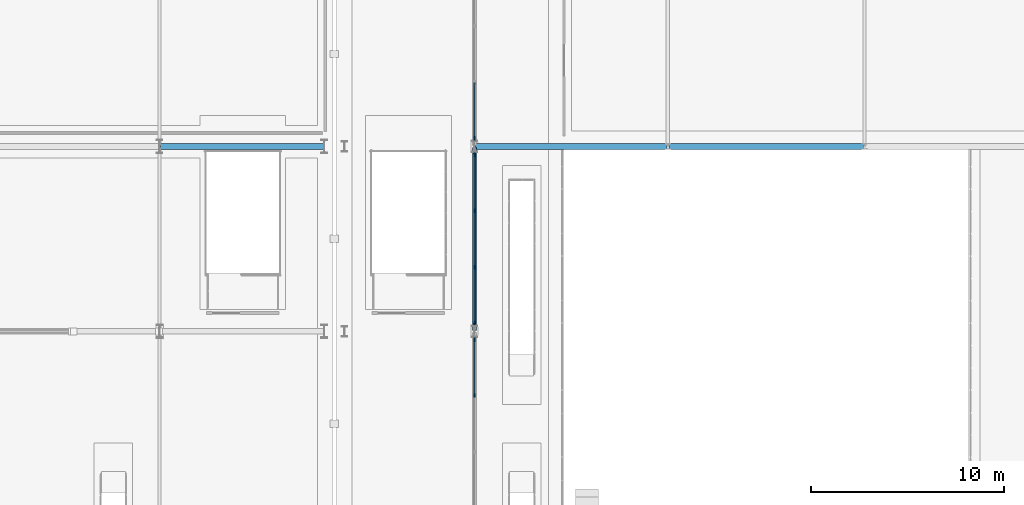
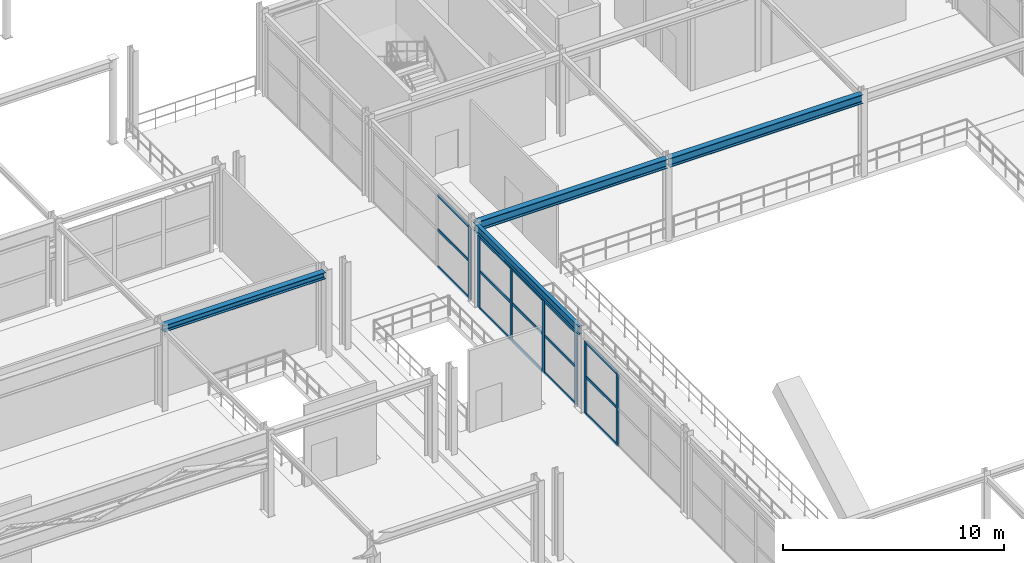
# One storey, part 47 of 125: 22 members, 4 beams, 3 elements without a shape of their own.
"""IFC4 building model written with IfcOpenShell, lengths in metres."""

from ifc_helpers import new_model, si_unit, direction, frame, origin, origin_2d, place, context, subcontext, project, spatial, rectangle, i_section, extrude, material, layer, layer_set, material_profile, profile_set, type_object, element, aggregate, save


model = new_model("IFC4")

# Units and contexts
model_context = context("Model", 3, precision=1e-05, world=origin(), true_north=direction((0.0, 1.0)))
body_context = subcontext(model_context, "Body", "Model", "MODEL_VIEW")
ifc_project = project(units=[si_unit("LENGTHUNIT", "METRE"), si_unit("AREAUNIT", "SQUARE_METRE"), si_unit("VOLUMEUNIT", "CUBIC_METRE"), si_unit("PLANEANGLEUNIT", "RADIAN"), si_unit("MASSUNIT", "GRAM", prefix="KILO")], contexts=[model_context])

# Site, building, storey
site_placement = place(None, origin())
site = spatial("IfcSite", under=ifc_project, at=site_placement, CompositionType="ELEMENT")
building_placement = place(site_placement, origin())
building = spatial("IfcBuilding", under=site, at=building_placement, Name="Myrtia Square Station", CompositionType="ELEMENT")
storey_placement = place(building_placement, frame((0.0, 0.0, 6.0)))
storey = spatial("IfcBuildingStorey", under=building, at=storey_placement, Name="L01", CompositionType="ELEMENT", Elevation=6.0)

# Beams
ifc_material_1 = material(Name="Steel S355", Category="steel")
ifc_material_profile_1 = material_profile(ifc_material_1, i_section(OverallWidth=0.300048828125, OverallDepth=0.360107421875, WebThickness=0.012451171875, FlangeThickness=0.0224609375, FilletRadius=0.027099609375, at=origin_2d()), Name="HEB 360")
ifc_profile_set_1 = profile_set([ifc_material_profile_1], Name="Steel S355")
beam_type_1 = type_object("IfcBeamType", Name="BM-HEB360", PredefinedType="BEAM", material=ifc_profile_set_1)
beam_1_placement = place(storey_placement, frame((63.050048828125, 76.800048828125, 4.375), z_axis=(1.0, 0.0, 0.0), x_axis=(0.0, 1.0, 0.0)))
element("IfcBeam", 1, at=beam_1_placement, inside=storey, type_object=beam_type_1, Name="Structural girder BMX-L01-0475", PredefinedType="BEAM", context=body_context, shape_type="SweptSolid", body=[
    extrude(i_section(OverallWidth=0.300048828125, OverallDepth=0.360107421875, WebThickness=0.012451171875, FlangeThickness=0.0224609375, FilletRadius=0.027099609375, at=origin_2d()), origin(), (0.0, 0.0, 1.0), 8.449951171875),
])
ifc_material_profile_2 = material_profile(ifc_material_1, i_section(OverallWidth=0.300048828125, OverallDepth=0.5, WebThickness=0.014404296875, FlangeThickness=0.028076171875, FilletRadius=0.027099609375, at=origin_2d()), Name="HEB 500")
ifc_profile_set_2 = profile_set([ifc_material_profile_2], Name="Steel S355")
beam_type_2 = type_object("IfcBeamType", Name="BM-HEB500", PredefinedType="BEAM", material=ifc_profile_set_2)
beam_2_placement = place(storey_placement, frame((79.39990234375, 76.800048828125, 4.300048828125), z_axis=(1.0, 0.0, 0.0), x_axis=(0.0, 1.0, 0.0)))
element("IfcBeam", 2, at=beam_2_placement, inside=storey, type_object=beam_type_2, Name="Structural girder BMX-L01-0543", PredefinedType="BEAM", context=body_context, shape_type="SweptSolid", body=[
    extrude(i_section(OverallWidth=0.300048828125, OverallDepth=0.5, WebThickness=0.014404296875, FlangeThickness=0.028076171875, FilletRadius=0.027099609375, at=origin_2d()), origin(), (0.0, 0.0, 1.0), 9.9501953125),
])
beam_3_placement = place(storey_placement, frame((89.449951171875, 76.800048828125, 4.300048828125), z_axis=(1.0, 0.0, 0.0), x_axis=(0.0, 1.0, 0.0)))
element("IfcBeam", 3, at=beam_3_placement, inside=storey, type_object=beam_type_2, Name="Structural girder BMX-L01-0544", PredefinedType="BEAM", context=body_context, shape_type="SweptSolid", body=[
    extrude(i_section(OverallWidth=0.300048828125, OverallDepth=0.5, WebThickness=0.014404296875, FlangeThickness=0.028076171875, FilletRadius=0.027099609375, at=origin_2d()), origin(), (0.0, 0.0, 1.0), 10.10009765625),
])
ifc_material_profile_3 = material_profile(ifc_material_1, i_section(OverallWidth=0.18994140625, OverallDepth=0.449951171875, WebThickness=0.009521484375, FlangeThickness=0.0146484375, FilletRadius=0.02099609375, at=origin_2d()), Name="IPE 450")
ifc_profile_set_3 = profile_set([ifc_material_profile_3], Name="Steel S355")
beam_type_3 = type_object("IfcBeamType", Name="BM-IPE450", PredefinedType="BEAM", material=ifc_profile_set_3)
beam_4_placement = place(storey_placement, frame((79.35009765625, 67.25, 4.324951171875), z_axis=(0.0, 1.0, 0.0), x_axis=(-1.0, 0.0, 0.0)))
element("IfcBeam", 4, at=beam_4_placement, inside=storey, type_object=beam_type_3, Name="Structural girder BMY-L01-0556", PredefinedType="BEAM", context=body_context, shape_type="SweptSolid", body=[
    extrude(i_section(OverallWidth=0.18994140625, OverallDepth=0.449951171875, WebThickness=0.009521484375, FlangeThickness=0.0146484375, FilletRadius=0.02099609375, at=origin_2d()), origin(), (0.0, 0.0, 1.0), 9.5),
])

# Curtain wall, members
ifc_material_2 = material(Name="Dark bronze anodised aluminium", Category="aluminium")
ifc_layer = layer(ifc_material_2, 0.159912109375, Name="Dark bronze anodised aluminium")
ifc_layer_set = layer_set([ifc_layer], Name="Dark bronze anodised aluminium")
curtain_wall_type = type_object("IfcCurtainWallType", Name="CW-TYPE-03-880x400", PredefinedType="USERDEFINED", material=ifc_layer_set)
curtain_wall_1_placement = place(storey_placement, origin())
curtain_wall_1 = element("IfcCurtainWall", 5, at=curtain_wall_1_placement, inside=storey, type_object=curtain_wall_type, Name="Concourse curtain wall CW-L01-011", ObjectType="CONCOURSE CURTAIN WALL", PredefinedType="USERDEFINED")
ifc_material_profile_4 = material_profile(ifc_material_2, rectangle(XDim=0.06494140625, YDim=0.199951171875, at=origin_2d()), Name="ALU-M 65x200")
ifc_profile_set_4 = profile_set([ifc_material_profile_4], Name="Dark bronze anodised aluminium")
member_type_1 = type_object("IfcMemberType", Name="CWM-65x200", PredefinedType="MULLION", material=ifc_profile_set_4)
member_1_placement = place(storey_placement, frame((79.35009765625, 63.86669921875, 0.0), z_axis=(0.0, 0.0, 1.0), x_axis=(-1.0, 0.0, 0.0)))
member_1 = element("IfcMember", 6, at=member_1_placement, type_object=member_type_1, Name="CW-011 mullion 3", PredefinedType="MULLION", context=body_context, shape_type="SweptSolid", body=[
    extrude(rectangle(XDim=0.06494140625, YDim=0.199951171875, at=origin_2d()), origin(), (0.0, 0.0, 1.0), 4.0),
])
member_2_placement = place(storey_placement, frame((79.35009765625, 66.767578125, 0.0), z_axis=(0.0, 0.0, 1.0), x_axis=(-1.0, 0.0, 0.0)))
member_2 = element("IfcMember", 7, at=member_2_placement, type_object=member_type_1, Name="CW-011 mullion 4", PredefinedType="MULLION", context=body_context, shape_type="SweptSolid", body=[
    extrude(rectangle(XDim=0.06494140625, YDim=0.199951171875, at=origin_2d()), origin(), (0.0, 0.0, 1.0), 4.0),
])

curtain_wall_2_placement = place(storey_placement, origin())
curtain_wall_2 = element("IfcCurtainWall", 8, at=curtain_wall_2_placement, inside=storey, type_object=curtain_wall_type, Name="Concourse curtain wall CW-L01-013", ObjectType="CONCOURSE CURTAIN WALL", PredefinedType="USERDEFINED")
member_3_placement = place(storey_placement, frame((79.35009765625, 67.632568359375, 0.0), z_axis=(0.0, 0.0, 1.0), x_axis=(-1.0, 0.0, 0.0)))
member_3 = element("IfcMember", 9, at=member_3_placement, type_object=member_type_1, Name="CW-013 mullion 1", PredefinedType="MULLION", context=body_context, shape_type="SweptSolid", body=[
    extrude(rectangle(XDim=0.06494140625, YDim=0.199951171875, at=origin_2d()), origin(), (0.0, 0.0, 1.0), 4.0),
])
member_4_placement = place(storey_placement, frame((79.35009765625, 70.533447265625, 0.0), z_axis=(0.0, 0.0, 1.0), x_axis=(-1.0, 0.0, 0.0)))
member_4 = element("IfcMember", 10, at=member_4_placement, type_object=member_type_1, Name="CW-013 mullion 2", PredefinedType="MULLION", context=body_context, shape_type="SweptSolid", body=[
    extrude(rectangle(XDim=0.06494140625, YDim=0.199951171875, at=origin_2d()), origin(), (0.0, 0.0, 1.0), 4.0),
])
member_5_placement = place(storey_placement, frame((79.35009765625, 73.466552734375, 0.0), z_axis=(0.0, 0.0, 1.0), x_axis=(-1.0, 0.0, 0.0)))
member_5 = element("IfcMember", 11, at=member_5_placement, type_object=member_type_1, Name="CW-013 mullion 3", PredefinedType="MULLION", context=body_context, shape_type="SweptSolid", body=[
    extrude(rectangle(XDim=0.06494140625, YDim=0.199951171875, at=origin_2d()), origin(), (0.0, 0.0, 1.0), 4.0),
])
member_6_placement = place(storey_placement, frame((79.35009765625, 76.367431640625, 0.0), z_axis=(0.0, 0.0, 1.0), x_axis=(-1.0, 0.0, 0.0)))
member_6 = element("IfcMember", 12, at=member_6_placement, type_object=member_type_1, Name="CW-013 mullion 4", PredefinedType="MULLION", context=body_context, shape_type="SweptSolid", body=[
    extrude(rectangle(XDim=0.06494140625, YDim=0.199951171875, at=origin_2d()), origin(), (0.0, 0.0, 1.0), 4.0),
])

# Curtain wall, member
curtain_wall_3_placement = place(storey_placement, origin())
curtain_wall_3 = element("IfcCurtainWall", 13, at=curtain_wall_3_placement, inside=storey, type_object=curtain_wall_type, Name="Concourse curtain wall CW-L01-015", ObjectType="CONCOURSE CURTAIN WALL", PredefinedType="USERDEFINED")
member_7_placement = place(storey_placement, frame((79.35009765625, 77.232421875, 0.0), z_axis=(0.0, 0.0, 1.0), x_axis=(-1.0, 0.0, 0.0)))
member_7 = element("IfcMember", 14, at=member_7_placement, type_object=member_type_1, Name="CW-015 mullion 1", PredefinedType="MULLION", context=body_context, shape_type="SweptSolid", body=[
    extrude(rectangle(XDim=0.06494140625, YDim=0.199951171875, at=origin_2d()), origin(), (0.0, 0.0, 1.0), 4.0),
])

# Member
ifc_material_profile_5 = material_profile(ifc_material_2, rectangle(XDim=0.06494140625, YDim=0.14990234375, at=origin_2d()), Name="ALU-T 65x150")
ifc_profile_set_5 = profile_set([ifc_material_profile_5], Name="Dark bronze anodised aluminium")
member_type_2 = type_object("IfcMemberType", Name="CWT-65x150", PredefinedType="USERDEFINED", material=ifc_profile_set_5)
member_8_placement = place(storey_placement, frame((79.35009765625, 63.899169921875, 0.032470703125), z_axis=(0.0, 1.0, 0.0), x_axis=(-1.0, 0.0, 0.0)))
member_8 = element("IfcMember", 15, at=member_8_placement, type_object=member_type_2, Name="CW-011 transom 3.1", ObjectType="TRANSOM", PredefinedType="USERDEFINED", context=body_context, shape_type="SweptSolid", body=[
    extrude(rectangle(XDim=0.06494140625, YDim=0.14990234375, at=origin_2d()), origin(), (0.0, 0.0, 1.0), 2.8359375),
])

member_9_placement = place(storey_placement, frame((79.35009765625, 63.899169921875, 2.080078125), z_axis=(0.0, 1.0, 0.0), x_axis=(-1.0, 0.0, 0.0)))
member_9 = element("IfcMember", 16, at=member_9_placement, type_object=member_type_2, Name="CW-011 transom 3.2", ObjectType="TRANSOM", PredefinedType="USERDEFINED", context=body_context, shape_type="SweptSolid", body=[
    extrude(rectangle(XDim=0.06494140625, YDim=0.14990234375, at=origin_2d()), origin(), (0.0, 0.0, 1.0), 2.8359375),
])

member_10_placement = place(storey_placement, frame((79.35009765625, 63.899169921875, 3.967529296875), z_axis=(0.0, 1.0, 0.0), x_axis=(-1.0, 0.0, 0.0)))
member_10 = element("IfcMember", 17, at=member_10_placement, type_object=member_type_2, Name="CW-011 transom 3.3", ObjectType="TRANSOM", PredefinedType="USERDEFINED", context=body_context, shape_type="SweptSolid", body=[
    extrude(rectangle(XDim=0.06494140625, YDim=0.14990234375, at=origin_2d()), origin(), (0.0, 0.0, 1.0), 2.8359375),
])

aggregate(curtain_wall_1, [member_1, member_2, member_8, member_9, member_10])

member_11_placement = place(storey_placement, frame((79.35009765625, 67.6650390625, 0.032470703125), z_axis=(0.0, 1.0, 0.0), x_axis=(-1.0, 0.0, 0.0)))
member_11 = element("IfcMember", 18, at=member_11_placement, type_object=member_type_2, Name="CW-013 transom 1.1", ObjectType="TRANSOM", PredefinedType="USERDEFINED", context=body_context, shape_type="SweptSolid", body=[
    extrude(rectangle(XDim=0.06494140625, YDim=0.14990234375, at=origin_2d()), origin(), (0.0, 0.0, 1.0), 2.835693359375),
])

member_12_placement = place(storey_placement, frame((79.35009765625, 67.6650390625, 2.080078125), z_axis=(0.0, 1.0, 0.0), x_axis=(-1.0, 0.0, 0.0)))
member_12 = element("IfcMember", 19, at=member_12_placement, type_object=member_type_2, Name="CW-013 transom 1.2", ObjectType="TRANSOM", PredefinedType="USERDEFINED", context=body_context, shape_type="SweptSolid", body=[
    extrude(rectangle(XDim=0.06494140625, YDim=0.14990234375, at=origin_2d()), origin(), (0.0, 0.0, 1.0), 2.835693359375),
])

member_13_placement = place(storey_placement, frame((79.35009765625, 67.6650390625, 3.967529296875), z_axis=(0.0, 1.0, 0.0), x_axis=(-1.0, 0.0, 0.0)))
member_13 = element("IfcMember", 20, at=member_13_placement, type_object=member_type_2, Name="CW-013 transom 1.3", ObjectType="TRANSOM", PredefinedType="USERDEFINED", context=body_context, shape_type="SweptSolid", body=[
    extrude(rectangle(XDim=0.06494140625, YDim=0.14990234375, at=origin_2d()), origin(), (0.0, 0.0, 1.0), 2.835693359375),
])

member_14_placement = place(storey_placement, frame((79.35009765625, 70.56591796875, 0.032470703125), z_axis=(0.0, 1.0, 0.0), x_axis=(-1.0, 0.0, 0.0)))
member_14 = element("IfcMember", 21, at=member_14_placement, type_object=member_type_2, Name="CW-013 transom 2.1", ObjectType="TRANSOM", PredefinedType="USERDEFINED", context=body_context, shape_type="SweptSolid", body=[
    extrude(rectangle(XDim=0.06494140625, YDim=0.14990234375, at=origin_2d()), origin(), (0.0, 0.0, 1.0), 2.8681640625),
])

member_15_placement = place(storey_placement, frame((79.35009765625, 70.56591796875, 2.080078125), z_axis=(0.0, 1.0, 0.0), x_axis=(-1.0, 0.0, 0.0)))
member_15 = element("IfcMember", 22, at=member_15_placement, type_object=member_type_2, Name="CW-013 transom 2.2", ObjectType="TRANSOM", PredefinedType="USERDEFINED", context=body_context, shape_type="SweptSolid", body=[
    extrude(rectangle(XDim=0.06494140625, YDim=0.14990234375, at=origin_2d()), origin(), (0.0, 0.0, 1.0), 2.8681640625),
])

member_16_placement = place(storey_placement, frame((79.35009765625, 70.56591796875, 3.967529296875), z_axis=(0.0, 1.0, 0.0), x_axis=(-1.0, 0.0, 0.0)))
member_16 = element("IfcMember", 23, at=member_16_placement, type_object=member_type_2, Name="CW-013 transom 2.3", ObjectType="TRANSOM", PredefinedType="USERDEFINED", context=body_context, shape_type="SweptSolid", body=[
    extrude(rectangle(XDim=0.06494140625, YDim=0.14990234375, at=origin_2d()), origin(), (0.0, 0.0, 1.0), 2.8681640625),
])

member_17_placement = place(storey_placement, frame((79.35009765625, 73.499267578125, 0.032470703125), z_axis=(0.0, 1.0, 0.0), x_axis=(-1.0, 0.0, 0.0)))
member_17 = element("IfcMember", 24, at=member_17_placement, type_object=member_type_2, Name="CW-013 transom 3.1", ObjectType="TRANSOM", PredefinedType="USERDEFINED", context=body_context, shape_type="SweptSolid", body=[
    extrude(rectangle(XDim=0.06494140625, YDim=0.14990234375, at=origin_2d()), origin(), (0.0, 0.0, 1.0), 2.835693359375),
])

member_18_placement = place(storey_placement, frame((79.35009765625, 73.499267578125, 2.080078125), z_axis=(0.0, 1.0, 0.0), x_axis=(-1.0, 0.0, 0.0)))
member_18 = element("IfcMember", 25, at=member_18_placement, type_object=member_type_2, Name="CW-013 transom 3.2", ObjectType="TRANSOM", PredefinedType="USERDEFINED", context=body_context, shape_type="SweptSolid", body=[
    extrude(rectangle(XDim=0.06494140625, YDim=0.14990234375, at=origin_2d()), origin(), (0.0, 0.0, 1.0), 2.835693359375),
])

member_19_placement = place(storey_placement, frame((79.35009765625, 73.499267578125, 3.967529296875), z_axis=(0.0, 1.0, 0.0), x_axis=(-1.0, 0.0, 0.0)))
member_19 = element("IfcMember", 26, at=member_19_placement, type_object=member_type_2, Name="CW-013 transom 3.3", ObjectType="TRANSOM", PredefinedType="USERDEFINED", context=body_context, shape_type="SweptSolid", body=[
    extrude(rectangle(XDim=0.06494140625, YDim=0.14990234375, at=origin_2d()), origin(), (0.0, 0.0, 1.0), 2.835693359375),
])

aggregate(curtain_wall_2, [member_3, member_4, member_5, member_6, member_11, member_12, member_13, member_14, member_15, member_16, member_17, member_18, member_19])

member_20_placement = place(storey_placement, frame((79.35009765625, 77.264892578125, 0.032470703125), z_axis=(0.0, 1.0, 0.0), x_axis=(-1.0, 0.0, 0.0)))
member_20 = element("IfcMember", 27, at=member_20_placement, type_object=member_type_2, Name="CW-015 transom 1.1", ObjectType="TRANSOM", PredefinedType="USERDEFINED", context=body_context, shape_type="SweptSolid", body=[
    extrude(rectangle(XDim=0.06494140625, YDim=0.14990234375, at=origin_2d()), origin(), (0.0, 0.0, 1.0), 2.8359375),
])

member_21_placement = place(storey_placement, frame((79.35009765625, 77.264892578125, 2.080078125), z_axis=(0.0, 1.0, 0.0), x_axis=(-1.0, 0.0, 0.0)))
member_21 = element("IfcMember", 28, at=member_21_placement, type_object=member_type_2, Name="CW-015 transom 1.2", ObjectType="TRANSOM", PredefinedType="USERDEFINED", context=body_context, shape_type="SweptSolid", body=[
    extrude(rectangle(XDim=0.06494140625, YDim=0.14990234375, at=origin_2d()), origin(), (0.0, 0.0, 1.0), 2.8359375),
])

member_22_placement = place(storey_placement, frame((79.35009765625, 77.264892578125, 3.967529296875), z_axis=(0.0, 1.0, 0.0), x_axis=(-1.0, 0.0, 0.0)))
member_22 = element("IfcMember", 29, at=member_22_placement, type_object=member_type_2, Name="CW-015 transom 1.3", ObjectType="TRANSOM", PredefinedType="USERDEFINED", context=body_context, shape_type="SweptSolid", body=[
    extrude(rectangle(XDim=0.06494140625, YDim=0.14990234375, at=origin_2d()), origin(), (0.0, 0.0, 1.0), 2.8359375),
])

aggregate(curtain_wall_3, [member_7, member_20, member_21, member_22])

save(model, "model.ifc")
